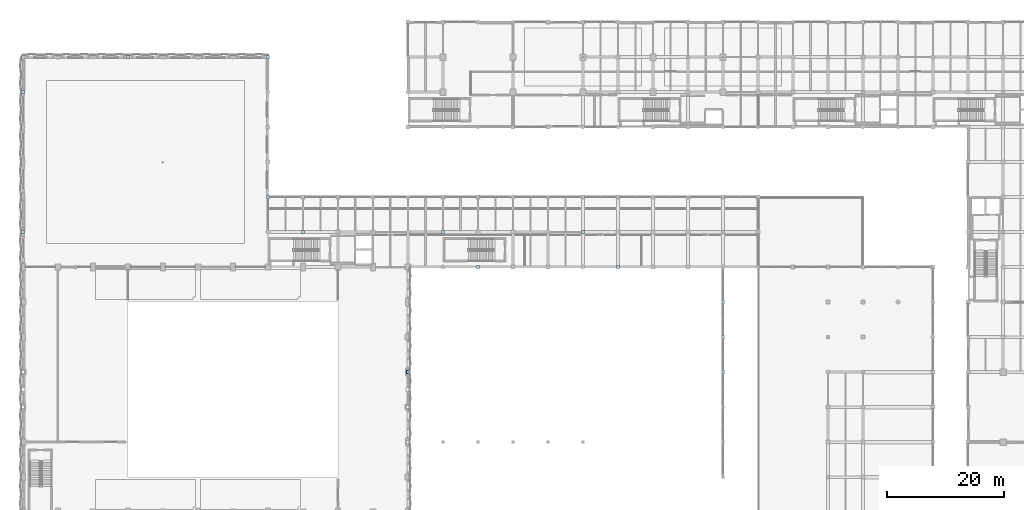
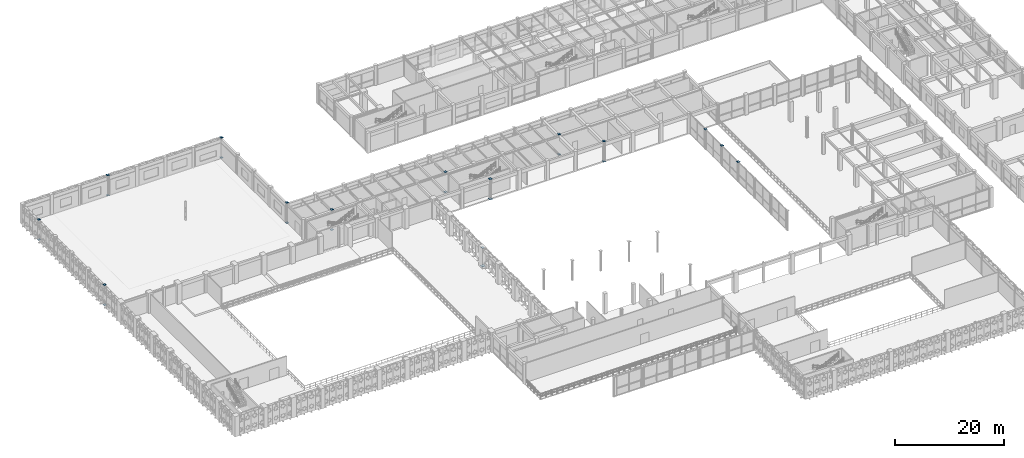
# One storey, part 84 of 116: 25 plates.
"""IFC4 building model written with IfcOpenShell, lengths in metres."""

from ifc_helpers import new_model, si_unit, direction, frame, origin, origin_2d, place, context, subcontext, project, spatial, rectangle, extrude, material, layer, layer_set, type_object, element, save


model = new_model("IFC4")

# Units and contexts
model_context = context("Model", 3, precision=1e-05, world=origin(), true_north=direction((0.0, 1.0)))
body_context = subcontext(model_context, "Body", "Model", "MODEL_VIEW")
ifc_project = project(units=[si_unit("LENGTHUNIT", "METRE"), si_unit("AREAUNIT", "SQUARE_METRE"), si_unit("VOLUMEUNIT", "CUBIC_METRE"), si_unit("PLANEANGLEUNIT", "RADIAN"), si_unit("MASSUNIT", "GRAM", prefix="KILO"), si_unit("THERMODYNAMICTEMPERATUREUNIT", "KELVIN"), si_unit("POWERUNIT", "WATT")], contexts=[model_context])

# Site, building, storey
site_placement = place(None, origin())
site = spatial("IfcSite", under=ifc_project, at=site_placement, CompositionType="ELEMENT")
building_placement = place(site_placement, origin())
building = spatial("IfcBuilding", under=site, at=building_placement, Name="Phaisarnlok Congress Hotel", CompositionType="ELEMENT")
storey_placement = place(building_placement, frame((0.0, 0.0, 10.5)))
storey = spatial("IfcBuildingStorey", under=building, at=storey_placement, Name="L02", CompositionType="ELEMENT", Elevation=10.5)

# Plates
ifc_material = material(Name="Steel S355", Category="steel")
ifc_layer_1 = layer(ifc_material, 0.0400390625, Name="Steel S355")
ifc_layer_set_1 = layer_set([ifc_layer_1], Name="Steel S355")
plate_type_1 = type_object("IfcPlateType", Name="PLT-CAP-480", PredefinedType="SHEET", material=ifc_layer_set_1)
for number, where, z_axis, x_axis, name in (
    (1, (0.0, 90.0, -0.02001953125), (0.0, 0.0, 1.0), (1.0, 0.0, 0.0), "Steel column cap/base plate NP-04 at NP-COLB-COL-L02-000-090"),
    (2, (0.0, 90.0, 4.47998046875), (0.0, 0.0, 1.0), (1.0, 0.0, 0.0), "Steel column cap/base plate NP-04 at NP-COLT-COL-L02-000-090"),
    (3, (0.0, 114.0, -0.02001953125), (0.0, 0.0, 1.0), (1.0, 0.0, 0.0), "Steel column cap/base plate NP-04 at NP-COLB-COL-L02-000-114"),
    (4, (0.0, 114.0, 4.47998046875), (0.0, 0.0, 1.0), (1.0, 0.0, 0.0), "Steel column cap/base plate NP-04 at NP-COLT-COL-L02-000-114"),
    (5, (18.0, 120.0, -0.02001953125), (0.0, 0.0, 1.0), (1.0, 0.0, 0.0), "Steel column cap/base plate NP-04 at NP-COLB-COL-L02-018-120"),
    (6, (18.0, 120.0, 4.47998046875), (0.0, 0.0, 1.0), (1.0, 0.0, 0.0), "Steel column cap/base plate NP-04 at NP-COLT-COL-L02-018-120"),
    (7, (42.0, 96.0, -0.02001953125), (0.0, 0.0, 1.0), (1.0, 0.0, 0.0), "Steel column cap/base plate NP-04 at NP-COLB-COL-L02-042-096"),
    (8, (42.0, 96.0, 4.47998046875), (0.0, 0.0, 1.0), (1.0, 0.0, 0.0), "Steel column cap/base plate NP-04 at NP-COLT-COL-L02-042-096"),
    (9, (42.0, 120.0, -0.02001953125), (0.0, 0.0, 1.0), (1.0, 0.0, 0.0), "Steel column cap/base plate NP-04 at NP-COLB-COL-L02-042-120"),
    (10, (42.0, 120.0, 4.47998046875), (0.0, 0.0, 1.0), (1.0, 0.0, 0.0), "Steel column cap/base plate NP-04 at NP-COLT-COL-L02-042-120"),
    (11, (48.0, 90.0, -0.02001953125), (0.0, 0.0, 1.0), (1.0, 0.0, 0.0), "Steel column cap/base plate NP-04 at NP-COLB-COL-L02-048-090"),
    (12, (48.0, 90.0, 4.47998046875), (0.0, 0.0, 1.0), (1.0, 0.0, 0.0), "Steel column cap/base plate NP-04 at NP-COLT-COL-L02-048-090"),
    (13, (72.0, 90.0, -0.02001953125), (0.0, 0.0, 1.0), (1.0, 0.0, 0.0), "Steel column cap/base plate NP-04 at NP-COLB-COL-L02-072-090"),
    (14, (72.0, 90.0, 4.47998046875), (0.0, 0.0, 1.0), (1.0, 0.0, 0.0), "Steel column cap/base plate NP-04 at NP-COLT-COL-L02-072-090"),
    (15, (78.0, 84.0, -0.02001953125), (0.0, 0.0, 1.0), (1.0, 0.0, 0.0), "Steel column cap/base plate NP-04 at NP-COLB-COL-L02-078-084"),
    (16, (78.0, 84.0, 4.47998046875), (0.0, 0.0, 1.0), (1.0, 0.0, 0.0), "Steel column cap/base plate NP-04 at NP-COLT-COL-L02-078-084"),
    (17, (96.0, 90.0, -0.02001953125), (0.0, 0.0, 1.0), (1.0, 0.0, 0.0), "Steel column cap/base plate NP-04 at NP-COLB-COL-L02-096-090"),
    (18, (96.0, 90.0, 4.47998046875), (0.0, 0.0, 1.0), (1.0, 0.0, 0.0), "Steel column cap/base plate NP-04 at NP-COLT-COL-L02-096-090"),
    (19, (102.0, 84.0, -0.02001953125), (0.0, 0.0, 1.0), (1.0, 0.0, 0.0), "Steel column cap/base plate NP-04 at NP-COLB-COL-L02-102-084"),
    (20, (102.0, 84.0, 4.47998046875), (0.0, 0.0, 1.0), (1.0, 0.0, 0.0), "Steel column cap/base plate NP-04 at NP-COLT-COL-L02-102-084"),
    (21, (120.0, 66.0, 4.47998046875), (0.0, 0.0, 1.0), (1.0, 0.0, 0.0), "Steel column cap/base plate NP-04 at NP-WRC-COL2-066"),
    (22, (120.0, 72.0, 4.47998046875), (0.0, 0.0, 1.0), (1.0, 0.0, 0.0), "Steel column cap/base plate NP-04 at NP-WRC-COL2-072"),
    (23, (120.0, 78.0, 4.47998046875), (0.0, 0.0, 1.0), (1.0, 0.0, 0.0), "Steel column cap/base plate NP-04 at NP-WRC-COL2-078"),
):
    element("IfcPlate", number, at=place(storey_placement, frame(where, z_axis=z_axis, x_axis=x_axis)), inside=storey, type_object=plate_type_1, Name=name, PredefinedType="SHEET", context=body_context, shape_type="SweptSolid", body=[
        extrude(rectangle(XDim=0.47998046875, YDim=0.47998046875, at=origin_2d()), origin(), (0.0, 0.0, 1.0), 0.0400390625),
    ])
ifc_layer_2 = layer(ifc_material, 0.01611328125, Name="Steel S355")
ifc_layer_set_2 = layer_set([ifc_layer_2], Name="Steel S355")
plate_type_2 = type_object("IfcPlateType", Name="PLT-GUS-650", PredefinedType="SHEET", material=ifc_layer_set_2)
plate_1_placement = place(storey_placement, frame((66.0, 66.0, 0.141845703125), z_axis=(0.0, 0.0, 1.0), x_axis=(1.0, 0.0, 0.0)))
element("IfcPlate", 24, at=plate_1_placement, inside=storey, type_object=plate_type_2, Name="Steel truss node plate NP-05 at NP-BF-B-L02-B", PredefinedType="SHEET", context=body_context, shape_type="SweptSolid", body=[
    extrude(rectangle(XDim=0.64990234375, YDim=0.64990234375, at=origin_2d()), origin(), (0.0, 0.0, 1.0), 0.01611328125),
])
ifc_layer_3 = layer(ifc_material, 0.02001953125, Name="Steel S355")
ifc_layer_set_3 = layer_set([ifc_layer_3], Name="Steel S355")
plate_type_3 = type_object("IfcPlateType", Name="PLT-NODE-480", PredefinedType="SHEET", material=ifc_layer_set_3)
plate_2_placement = place(storey_placement, frame((66.0, 66.0, 4.22998046875), z_axis=(0.0, 0.0, 1.0), x_axis=(1.0, 0.0, 0.0)))
element("IfcPlate", 25, at=plate_2_placement, inside=storey, type_object=plate_type_3, Name="Steel truss node plate NP-03 at NP-BF-B-L02-T2", PredefinedType="SHEET", context=body_context, shape_type="SweptSolid", body=[
    extrude(rectangle(XDim=0.47998046875, YDim=0.47998046875, at=origin_2d()), origin(), (0.0, 0.0, 1.0), 0.02001953125),
])

save(model, "model.ifc")
